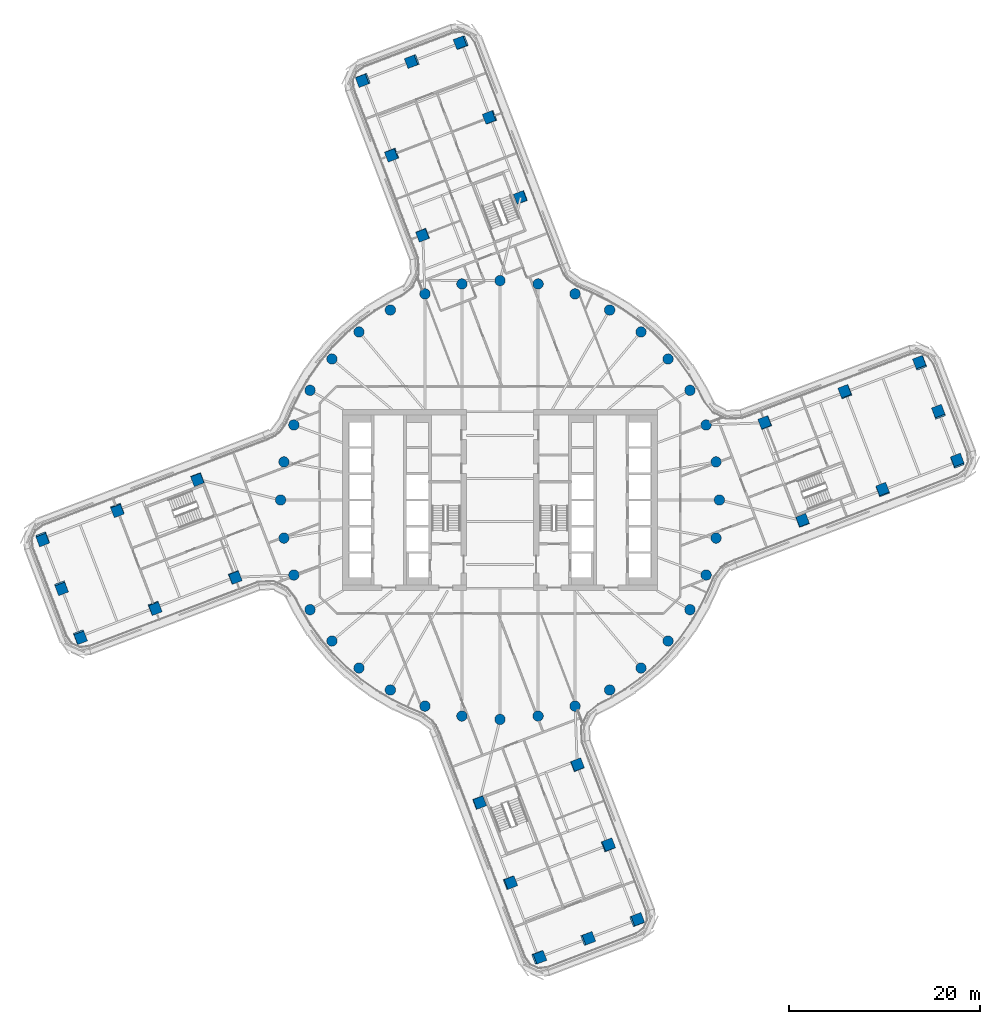
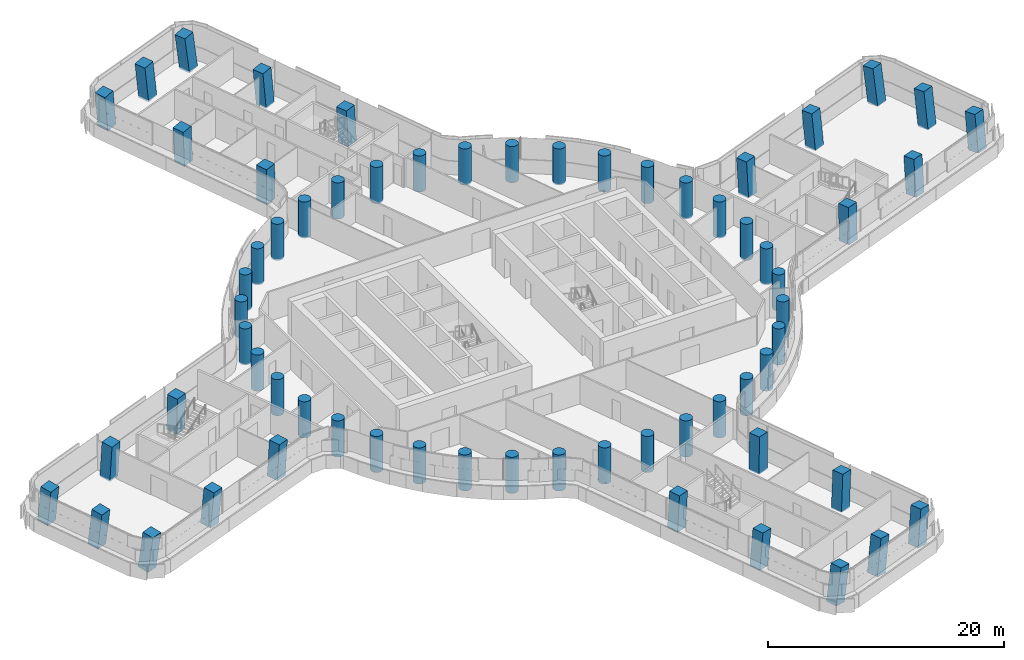
# One storey, part 1 of 32: 64 columns.
"""IFC4 building model written with IfcOpenShell, lengths in metres."""

from ifc_helpers import new_model, si_unit, direction, frame, origin, origin_2d, place, context, subcontext, project, spatial, rectangle, circle, extrude, material, material_profile, profile_set, type_object, element, save


model = new_model("IFC4")

# Units and contexts
model_context = context("Model", 3, precision=1e-05, world=origin(), true_north=direction((0.0, 1.0)))
body_context = subcontext(model_context, "Body", "Model", "MODEL_VIEW")
ifc_project = project(units=[si_unit("LENGTHUNIT", "METRE"), si_unit("AREAUNIT", "SQUARE_METRE"), si_unit("VOLUMEUNIT", "CUBIC_METRE"), si_unit("PLANEANGLEUNIT", "RADIAN"), si_unit("MASSUNIT", "GRAM", prefix="KILO")], contexts=[model_context])

# Site, building, storey
site_placement = place(None, origin())
site = spatial("IfcSite", under=ifc_project, at=site_placement, CompositionType="ELEMENT")
building_placement = place(site_placement, origin())
building = spatial("IfcBuilding", under=site, at=building_placement, Name="Tamarind Cross Interchange Tower", CompositionType="ELEMENT")
storey_placement = place(building_placement, frame((0.0, 0.0, 109.75)))
storey = spatial("IfcBuildingStorey", under=building, at=storey_placement, Name="L26", CompositionType="ELEMENT", Elevation=109.75)

# Columns
ifc_material = material(Name="Concrete C65", Category="concrete")
ifc_material_profile_1 = material_profile(ifc_material, rectangle(XDim=1.10009765625, YDim=1.10009765625, at=origin_2d()), Name="RC 1100x1100")
ifc_profile_set_1 = profile_set([ifc_material_profile_1], Name="Concrete C65")
column_type_1 = type_object("IfcColumnType", Name="Column RC 1100x1100 Concrete C65", PredefinedType="COLUMN", material=ifc_profile_set_1)
for number, where, z_axis, x_axis, name in (
    (1, (36.200439453125, 11.308837890625, -0.138427734375), (-0.055430426803, 0.068281977748, 0.996125011883), (0.354586829806, -0.931281104545, 0.083568441691), "Column L26-036"),
    (2, (40.123779296875, 1.0322265625, -0.138427734375), (-0.005776709616, 0.08775406068, 0.996125421049), (-0.934401917016, -0.355279184358, 0.025879695487), "Column L26-037"),
):
    element("IfcColumn", number, at=place(storey_placement, frame(where, z_axis=z_axis, x_axis=x_axis)), inside=storey, type_object=column_type_1, Name=name, PredefinedType="COLUMN", context=body_context, shape_type="SweptSolid", body=[
        extrude(rectangle(XDim=1.10009765625, YDim=1.10009765625, at=origin_2d()), origin(), (0.0, 0.0, 1.0), 3.761474609375),
    ])
for number, where, z_axis, x_axis, name in (
    (3, (27.792236328125, 8.0986328125, -0.138671875), (-0.039565377249, 0.027786868561, 0.998830551625), (0.355401446255, -0.9338550322, 0.040057344327), "Column L26-038"),
    (4, (31.7158203125, -2.177734375, -0.138671875), (0.010151655335, 0.047244242136, 0.998831780371), (-0.934189157988, -0.355805648562, 0.026324086879), "Column L26-039"),
):
    element("IfcColumn", number, at=place(storey_placement, frame(where, z_axis=z_axis, x_axis=x_axis)), inside=storey, type_object=column_type_1, Name=name, PredefinedType="COLUMN", context=body_context, shape_type="SweptSolid", body=[
        extrude(rectangle(XDim=1.10009765625, YDim=1.10009765625, at=origin_2d()), origin(), (0.0, 0.0, 1.0), 3.751708984375),
    ])
column_1_placement = place(storey_placement, frame((47.963623046875, 4.025390625, -0.138427734375), z_axis=(-0.013440627333, 0.127879814861, 0.991698594578), x_axis=(-0.93461335567, -0.354131305771, 0.03299838901)))
element("IfcColumn", 5, at=column_1_placement, inside=storey, type_object=column_type_1, Name="Column L26-040", PredefinedType="COLUMN", context=body_context, shape_type="SweptSolid", body=[
    extrude(rectangle(XDim=1.10009765625, YDim=1.10009765625, at=origin_2d()), origin(), (0.0, 0.0, 1.0), 3.778076171875),
])
column_2_placement = place(storey_placement, frame((46.001953125, 9.163818359375, -0.138671875), z_axis=(-0.038205733572, 0.118237371749, 0.992250092388), x_axis=(-0.93435789005, -0.356277102088, 0.006477640674)))
element("IfcColumn", 6, at=column_2_placement, inside=storey, type_object=column_type_1, Name="Column L26-041", PredefinedType="COLUMN", context=body_context, shape_type="SweptSolid", body=[
    extrude(rectangle(XDim=1.10009765625, YDim=1.10009765625, at=origin_2d()), origin(), (0.0, 0.0, 1.0), 3.776611328125),
])
column_3_placement = place(storey_placement, frame((44.040283203125, 14.302001953125, -0.138671875), z_axis=(-0.062891109403, 0.108524329586, 0.992102403105), x_axis=(0.352724624455, -0.927499115945, 0.123817321993)))
element("IfcColumn", 7, at=column_3_placement, inside=storey, type_object=column_type_1, Name="Column L26-042", PredefinedType="COLUMN", context=body_context, shape_type="SweptSolid", body=[
    extrude(rectangle(XDim=1.10009765625, YDim=1.10009765625, at=origin_2d()), origin(), (0.0, 0.0, 1.0), 3.777099609375),
])
for number, where, z_axis, x_axis, name in (
    (8, (-11.308837890625, 36.200439453125, -0.138427734375), (-0.068281977748, -0.055430426803, 0.996125011883), (0.931281104545, 0.354586829806, 0.083568441691), "Column L26-043"),
    (9, (-1.0322265625, 40.123779296875, -0.138427734375), (-0.08775406068, -0.005776709616, 0.996125421049), (0.355279184358, -0.934401917016, 0.025879695487), "Column L26-044"),
):
    element("IfcColumn", number, at=place(storey_placement, frame(where, z_axis=z_axis, x_axis=x_axis)), inside=storey, type_object=column_type_1, Name=name, PredefinedType="COLUMN", context=body_context, shape_type="SweptSolid", body=[
        extrude(rectangle(XDim=1.10009765625, YDim=1.10009765625, at=origin_2d()), origin(), (0.0, 0.0, 1.0), 3.761474609375),
    ])
for number, where, z_axis, x_axis, name in (
    (10, (-8.0986328125, 27.792236328125, -0.138671875), (-0.027786868561, -0.039565377249, 0.998830551625), (0.9338550322, 0.355401446255, 0.040057344327), "Column L26-045"),
    (11, (2.177734375, 31.7158203125, -0.138671875), (-0.047244242136, 0.010151655335, 0.998831780371), (0.355805648562, -0.934189157988, 0.026324086879), "Column L26-046"),
):
    element("IfcColumn", number, at=place(storey_placement, frame(where, z_axis=z_axis, x_axis=x_axis)), inside=storey, type_object=column_type_1, Name=name, PredefinedType="COLUMN", context=body_context, shape_type="SweptSolid", body=[
        extrude(rectangle(XDim=1.10009765625, YDim=1.10009765625, at=origin_2d()), origin(), (0.0, 0.0, 1.0), 3.751708984375),
    ])
column_4_placement = place(storey_placement, frame((-4.025390625, 47.963623046875, -0.138427734375), z_axis=(-0.127879814861, -0.013440627333, 0.991698594578), x_axis=(0.354131305771, -0.93461335567, 0.03299838901)))
element("IfcColumn", 12, at=column_4_placement, inside=storey, type_object=column_type_1, Name="Column L26-047", PredefinedType="COLUMN", context=body_context, shape_type="SweptSolid", body=[
    extrude(rectangle(XDim=1.10009765625, YDim=1.10009765625, at=origin_2d()), origin(), (0.0, 0.0, 1.0), 3.778076171875),
])
column_5_placement = place(storey_placement, frame((-9.163818359375, 46.001953125, -0.138671875), z_axis=(-0.118237371749, -0.038205733572, 0.992250092388), x_axis=(0.356277102088, -0.93435789005, 0.006477640674)))
element("IfcColumn", 13, at=column_5_placement, inside=storey, type_object=column_type_1, Name="Column L26-048", PredefinedType="COLUMN", context=body_context, shape_type="SweptSolid", body=[
    extrude(rectangle(XDim=1.10009765625, YDim=1.10009765625, at=origin_2d()), origin(), (0.0, 0.0, 1.0), 3.776611328125),
])
column_6_placement = place(storey_placement, frame((-14.302001953125, 44.040283203125, -0.138671875), z_axis=(-0.108524329586, -0.062891109403, 0.992102403105), x_axis=(0.927499115945, 0.352724624455, 0.123817321993)))
element("IfcColumn", 14, at=column_6_placement, inside=storey, type_object=column_type_1, Name="Column L26-049", PredefinedType="COLUMN", context=body_context, shape_type="SweptSolid", body=[
    extrude(rectangle(XDim=1.10009765625, YDim=1.10009765625, at=origin_2d()), origin(), (0.0, 0.0, 1.0), 3.777099609375),
])
for number, where, z_axis, x_axis, name in (
    (15, (-36.200439453125, -11.308837890625, -0.138427734375), (0.055430426803, -0.068281977748, 0.996125011883), (-0.354586829806, 0.931281104545, 0.083568441691), "Column L26-050"),
    (16, (-40.123779296875, -1.0322265625, -0.138427734375), (0.005776709616, -0.08775406068, 0.996125421049), (0.934401917016, 0.355279184358, 0.025879695487), "Column L26-051"),
):
    element("IfcColumn", number, at=place(storey_placement, frame(where, z_axis=z_axis, x_axis=x_axis)), inside=storey, type_object=column_type_1, Name=name, PredefinedType="COLUMN", context=body_context, shape_type="SweptSolid", body=[
        extrude(rectangle(XDim=1.10009765625, YDim=1.10009765625, at=origin_2d()), origin(), (0.0, 0.0, 1.0), 3.761474609375),
    ])
for number, where, z_axis, x_axis, name in (
    (17, (-27.792236328125, -8.0986328125, -0.138671875), (0.039565377249, -0.027786868561, 0.998830551625), (-0.355401446255, 0.9338550322, 0.040057344327), "Column L26-052"),
    (18, (-31.7158203125, 2.177734375, -0.138671875), (-0.010151655335, -0.047244242136, 0.998831780371), (0.934189157988, 0.355805648562, 0.026324086879), "Column L26-053"),
):
    element("IfcColumn", number, at=place(storey_placement, frame(where, z_axis=z_axis, x_axis=x_axis)), inside=storey, type_object=column_type_1, Name=name, PredefinedType="COLUMN", context=body_context, shape_type="SweptSolid", body=[
        extrude(rectangle(XDim=1.10009765625, YDim=1.10009765625, at=origin_2d()), origin(), (0.0, 0.0, 1.0), 3.751708984375),
    ])
column_7_placement = place(storey_placement, frame((-47.963623046875, -4.025390625, -0.138427734375), z_axis=(0.013440627333, -0.127879814861, 0.991698594578), x_axis=(0.93461335567, 0.354131305771, 0.03299838901)))
element("IfcColumn", 19, at=column_7_placement, inside=storey, type_object=column_type_1, Name="Column L26-054", PredefinedType="COLUMN", context=body_context, shape_type="SweptSolid", body=[
    extrude(rectangle(XDim=1.10009765625, YDim=1.10009765625, at=origin_2d()), origin(), (0.0, 0.0, 1.0), 3.778076171875),
])
column_8_placement = place(storey_placement, frame((-46.001953125, -9.163818359375, -0.138671875), z_axis=(0.038205733572, -0.118237371749, 0.992250092388), x_axis=(0.93435789005, 0.356277102088, 0.006477640674)))
element("IfcColumn", 20, at=column_8_placement, inside=storey, type_object=column_type_1, Name="Column L26-055", PredefinedType="COLUMN", context=body_context, shape_type="SweptSolid", body=[
    extrude(rectangle(XDim=1.10009765625, YDim=1.10009765625, at=origin_2d()), origin(), (0.0, 0.0, 1.0), 3.776611328125),
])
column_9_placement = place(storey_placement, frame((-44.040283203125, -14.302001953125, -0.138671875), z_axis=(0.062891109403, -0.108524329586, 0.992102403105), x_axis=(-0.352724624455, 0.927499115945, 0.123817321993)))
element("IfcColumn", 21, at=column_9_placement, inside=storey, type_object=column_type_1, Name="Column L26-056", PredefinedType="COLUMN", context=body_context, shape_type="SweptSolid", body=[
    extrude(rectangle(XDim=1.10009765625, YDim=1.10009765625, at=origin_2d()), origin(), (0.0, 0.0, 1.0), 3.777099609375),
])
for number, where, z_axis, x_axis, name in (
    (22, (11.308837890625, -36.200439453125, -0.138427734375), (0.068281977748, 0.055430426803, 0.996125011883), (-0.931281104545, -0.354586829806, 0.083568441691), "Column L26-057"),
    (23, (1.0322265625, -40.123779296875, -0.138427734375), (0.08775406068, 0.005776709616, 0.996125421049), (-0.355279184358, 0.934401917016, 0.025879695487), "Column L26-058"),
):
    element("IfcColumn", number, at=place(storey_placement, frame(where, z_axis=z_axis, x_axis=x_axis)), inside=storey, type_object=column_type_1, Name=name, PredefinedType="COLUMN", context=body_context, shape_type="SweptSolid", body=[
        extrude(rectangle(XDim=1.10009765625, YDim=1.10009765625, at=origin_2d()), origin(), (0.0, 0.0, 1.0), 3.761474609375),
    ])
for number, where, z_axis, x_axis, name in (
    (24, (8.0986328125, -27.792236328125, -0.138671875), (0.027786868561, 0.039565377249, 0.998830551625), (-0.9338550322, -0.355401446255, 0.040057344327), "Column L26-059"),
    (25, (-2.177734375, -31.7158203125, -0.138671875), (0.047244242136, -0.010151655335, 0.998831780371), (-0.355805648562, 0.934189157988, 0.026324086879), "Column L26-060"),
):
    element("IfcColumn", number, at=place(storey_placement, frame(where, z_axis=z_axis, x_axis=x_axis)), inside=storey, type_object=column_type_1, Name=name, PredefinedType="COLUMN", context=body_context, shape_type="SweptSolid", body=[
        extrude(rectangle(XDim=1.10009765625, YDim=1.10009765625, at=origin_2d()), origin(), (0.0, 0.0, 1.0), 3.751708984375),
    ])
column_10_placement = place(storey_placement, frame((4.025390625, -47.963623046875, -0.138427734375), z_axis=(0.127879814861, 0.013440627333, 0.991698594578), x_axis=(-0.354131305771, 0.93461335567, 0.03299838901)))
element("IfcColumn", 26, at=column_10_placement, inside=storey, type_object=column_type_1, Name="Column L26-061", PredefinedType="COLUMN", context=body_context, shape_type="SweptSolid", body=[
    extrude(rectangle(XDim=1.10009765625, YDim=1.10009765625, at=origin_2d()), origin(), (0.0, 0.0, 1.0), 3.778076171875),
])
column_11_placement = place(storey_placement, frame((9.163818359375, -46.001953125, -0.138671875), z_axis=(0.118237371749, 0.038205733572, 0.992250092388), x_axis=(-0.356277102088, 0.93435789005, 0.006477640674)))
element("IfcColumn", 27, at=column_11_placement, inside=storey, type_object=column_type_1, Name="Column L26-062", PredefinedType="COLUMN", context=body_context, shape_type="SweptSolid", body=[
    extrude(rectangle(XDim=1.10009765625, YDim=1.10009765625, at=origin_2d()), origin(), (0.0, 0.0, 1.0), 3.776611328125),
])
column_12_placement = place(storey_placement, frame((14.302001953125, -44.040283203125, -0.138671875), z_axis=(0.108524329586, 0.062891109403, 0.992102403105), x_axis=(-0.927499115945, -0.352724624455, 0.123817321993)))
element("IfcColumn", 28, at=column_12_placement, inside=storey, type_object=column_type_1, Name="Column L26-063", PredefinedType="COLUMN", context=body_context, shape_type="SweptSolid", body=[
    extrude(rectangle(XDim=1.10009765625, YDim=1.10009765625, at=origin_2d()), origin(), (0.0, 0.0, 1.0), 3.777099609375),
])
ifc_material_profile_2 = material_profile(ifc_material, circle(Radius=0.550048828125, at=origin_2d()), Name="RC D1100")
ifc_profile_set_2 = profile_set([ifc_material_profile_2], Name="Concrete C65")
column_type_2 = type_object("IfcColumnType", Name="Column RC D1100 Concrete C65", PredefinedType="COLUMN", material=ifc_profile_set_2)
for number, where, z_axis, x_axis, name in (
    (29, (23.0, 0.0, -0.139892578125), (0.0, 0.0, 1.0), (1.0, 0.0, 0.0), "Column L26-000"),
    (30, (22.650634765625, 3.993896484375, -0.139892578125), (0.0, 0.0, 1.0), (1.0, 0.0, 0.0), "Column L26-001"),
    (31, (21.613037109375, 7.866455078125, -0.139892578125), (0.0, 0.0, 1.0), (1.0, 0.0, 0.0), "Column L26-002"),
    (32, (19.918701171875, 11.5, -0.139892578125), (0.0, 0.0, 1.0), (1.0, 0.0, 0.0), "Column L26-003"),
    (33, (17.619140625, 14.7841796875, -0.139892578125), (0.0, 0.0, 1.0), (1.0, 0.0, 0.0), "Column L26-004"),
    (34, (14.7841796875, 17.619140625, -0.139892578125), (0.0, 0.0, 1.0), (1.0, 0.0, 0.0), "Column L26-005"),
    (35, (11.5, 19.918701171875, -0.139892578125), (0.0, 0.0, 1.0), (1.0, 0.0, 0.0), "Column L26-006"),
    (36, (7.866455078125, 21.613037109375, -0.139892578125), (0.0, 0.0, 1.0), (1.0, 0.0, 0.0), "Column L26-007"),
    (37, (3.993896484375, 22.650634765625, -0.139892578125), (0.0, 0.0, 1.0), (1.0, 0.0, 0.0), "Column L26-008"),
    (38, (0.0, 23.0, -0.139892578125), (0.0, 0.0, 1.0), (1.0, 0.0, 0.0), "Column L26-009"),
    (39, (-3.993896484375, 22.650634765625, -0.139892578125), (0.0, 0.0, 1.0), (1.0, 0.0, 0.0), "Column L26-010"),
    (40, (-7.866455078125, 21.613037109375, -0.139892578125), (0.0, 0.0, 1.0), (1.0, 0.0, 0.0), "Column L26-011"),
    (41, (-11.5, 19.918701171875, -0.139892578125), (0.0, 0.0, 1.0), (1.0, 0.0, 0.0), "Column L26-012"),
    (42, (-14.7841796875, 17.619140625, -0.139892578125), (0.0, 0.0, 1.0), (1.0, 0.0, 0.0), "Column L26-013"),
    (43, (-17.619140625, 14.7841796875, -0.139892578125), (0.0, 0.0, 1.0), (1.0, 0.0, 0.0), "Column L26-014"),
    (44, (-19.918701171875, 11.5, -0.139892578125), (0.0, 0.0, 1.0), (1.0, 0.0, 0.0), "Column L26-015"),
    (45, (-21.613037109375, 7.866455078125, -0.139892578125), (0.0, 0.0, 1.0), (1.0, 0.0, 0.0), "Column L26-016"),
    (46, (-22.650634765625, 3.993896484375, -0.139892578125), (0.0, 0.0, 1.0), (1.0, 0.0, 0.0), "Column L26-017"),
    (47, (-23.0, 0.0, -0.139892578125), (0.0, 0.0, 1.0), (1.0, 0.0, 0.0), "Column L26-018"),
    (48, (-22.650634765625, -3.993896484375, -0.139892578125), (0.0, 0.0, 1.0), (1.0, 0.0, 0.0), "Column L26-019"),
    (49, (-21.613037109375, -7.866455078125, -0.139892578125), (0.0, 0.0, 1.0), (1.0, 0.0, 0.0), "Column L26-020"),
    (50, (-19.918701171875, -11.5, -0.139892578125), (0.0, 0.0, 1.0), (1.0, 0.0, 0.0), "Column L26-021"),
    (51, (-17.619140625, -14.7841796875, -0.139892578125), (0.0, 0.0, 1.0), (1.0, 0.0, 0.0), "Column L26-022"),
    (52, (-14.7841796875, -17.619140625, -0.139892578125), (0.0, 0.0, 1.0), (1.0, 0.0, 0.0), "Column L26-023"),
    (53, (-11.5, -19.918701171875, -0.139892578125), (0.0, 0.0, 1.0), (1.0, 0.0, 0.0), "Column L26-024"),
    (54, (-7.866455078125, -21.613037109375, -0.139892578125), (0.0, 0.0, 1.0), (1.0, 0.0, 0.0), "Column L26-025"),
    (55, (-3.993896484375, -22.650634765625, -0.139892578125), (0.0, 0.0, 1.0), (1.0, 0.0, 0.0), "Column L26-026"),
    (56, (0.0, -23.0, -0.139892578125), (0.0, 0.0, 1.0), (1.0, 0.0, 0.0), "Column L26-027"),
    (57, (3.993896484375, -22.650634765625, -0.139892578125), (0.0, 0.0, 1.0), (1.0, 0.0, 0.0), "Column L26-028"),
    (58, (7.866455078125, -21.613037109375, -0.139892578125), (0.0, 0.0, 1.0), (1.0, 0.0, 0.0), "Column L26-029"),
    (59, (11.5, -19.918701171875, -0.139892578125), (0.0, 0.0, 1.0), (1.0, 0.0, 0.0), "Column L26-030"),
    (60, (14.7841796875, -17.619140625, -0.139892578125), (0.0, 0.0, 1.0), (1.0, 0.0, 0.0), "Column L26-031"),
    (61, (17.619140625, -14.7841796875, -0.139892578125), (0.0, 0.0, 1.0), (1.0, 0.0, 0.0), "Column L26-032"),
    (62, (19.918701171875, -11.5, -0.139892578125), (0.0, 0.0, 1.0), (1.0, 0.0, 0.0), "Column L26-033"),
    (63, (21.613037109375, -7.866455078125, -0.139892578125), (0.0, 0.0, 1.0), (1.0, 0.0, 0.0), "Column L26-034"),
    (64, (22.650634765625, -3.993896484375, -0.139892578125), (0.0, 0.0, 1.0), (1.0, 0.0, 0.0), "Column L26-035"),
):
    element("IfcColumn", number, at=place(storey_placement, frame(where, z_axis=z_axis, x_axis=x_axis)), inside=storey, type_object=column_type_2, Name=name, PredefinedType="COLUMN", context=body_context, shape_type="SweptSolid", body=[
        extrude(circle(Radius=0.550048828125, at=origin_2d()), origin(), (0.0, 0.0, 1.0), 3.75),
    ])

save(model, "model.ifc")
